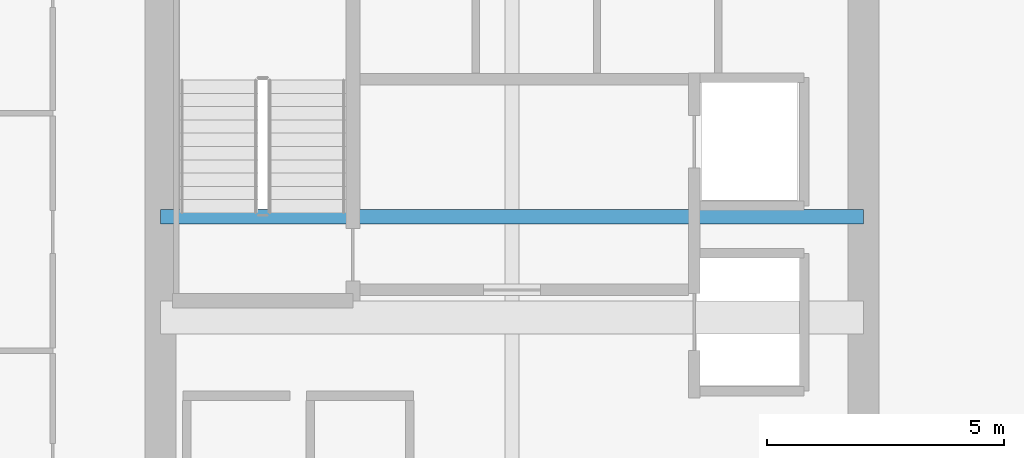
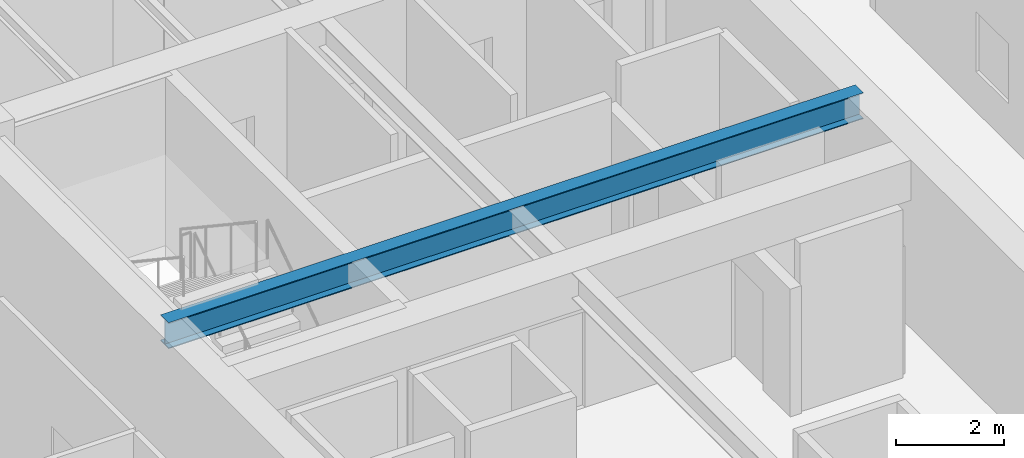
# One storey, part 9 of 31: 1 beam.
"""IFC4 building model written with IfcOpenShell, lengths in metres."""

from ifc_helpers import new_model, si_unit, direction, frame, origin, origin_2d, place, context, subcontext, project, spatial, i_section, extrude, source, transform, mapped, material, material_profile, profile_set, type_object, type_shapes, element, save


model = new_model("IFC4")

# Units and contexts
model_context = context("Model", 3, precision=1e-05, world=origin(), true_north=direction((0.0, 1.0)))
body_context = subcontext(model_context, "Body", "Model", "MODEL_VIEW")
ifc_project = project(units=[si_unit("LENGTHUNIT", "METRE"), si_unit("AREAUNIT", "SQUARE_METRE"), si_unit("VOLUMEUNIT", "CUBIC_METRE"), si_unit("PLANEANGLEUNIT", "RADIAN"), si_unit("MASSUNIT", "GRAM", prefix="KILO")], contexts=[model_context])

# Site, building, storey
site_placement = place(None, origin())
site = spatial("IfcSite", under=ifc_project, at=site_placement, CompositionType="ELEMENT")
building_placement = place(site_placement, origin())
building = spatial("IfcBuilding", under=site, at=building_placement, Name="Haelvirn Gate Laboratories", CompositionType="ELEMENT")
storey_placement = place(building_placement, frame((0.0, 0.0, 154.300048828125)))
storey = spatial("IfcBuildingStorey", under=building, at=storey_placement, Name="L37", CompositionType="ELEMENT", Elevation=154.300048828125)

# Beam
ifc_material = material(Name="Steel SM355", Category="steel")
ifc_material_profile = material_profile(ifc_material, i_section(OverallWidth=0.300048828125, OverallDepth=0.587890625, WebThickness=0.011962890625, FlangeThickness=0.02001953125, at=origin_2d()), Name="H-588x300x12x20")
ifc_profile_set = profile_set([ifc_material_profile], Name="Steel SM355")
beam_type = type_object("IfcBeamType", Name="BM-G-588", PredefinedType="BEAM", material=ifc_profile_set)
shared_shape = source(origin(), body_context, "Body", "SweptSolid", [
    extrude(i_section(OverallWidth=0.300048828125, OverallDepth=0.587890625, WebThickness=0.011962890625, FlangeThickness=0.02001953125, at=origin_2d()), origin(), (0.0, 0.0, 1.0), 14.800048828125),
])
type_shapes(beam_type, [shared_shape])
beam_placement = place(storey_placement, frame((7.39990234375, 26.6201171875, 3.495849609375), z_axis=(1.0, 0.0, 0.0), x_axis=(0.0, 1.0, 0.0)))
element("IfcBeam", 1, at=beam_placement, inside=storey, type_object=beam_type, Name="L37 Stair ST1 Landing Header", PredefinedType="BEAM", context=body_context, shape_type="MappedRepresentation", body=[
    mapped(shared_shape, transform((0.0, 0.0, 0.0), scale=1.0)),
])

save(model, "model.ifc")
